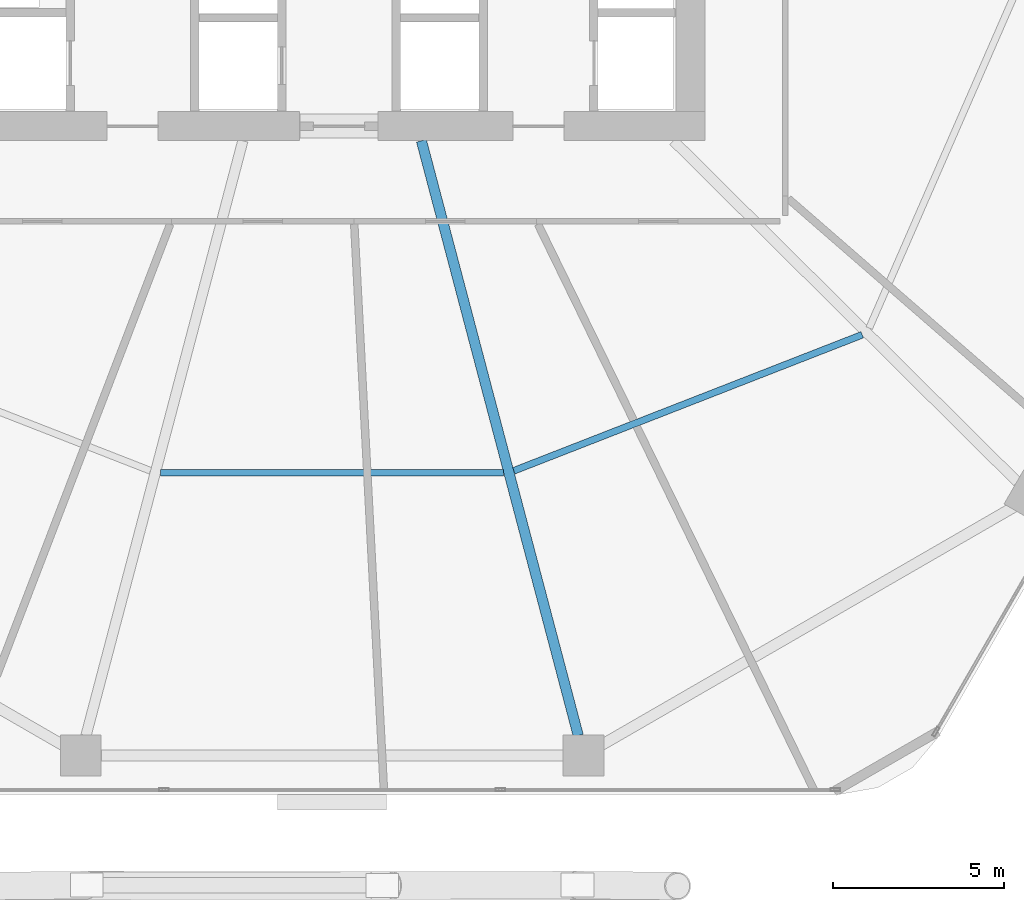
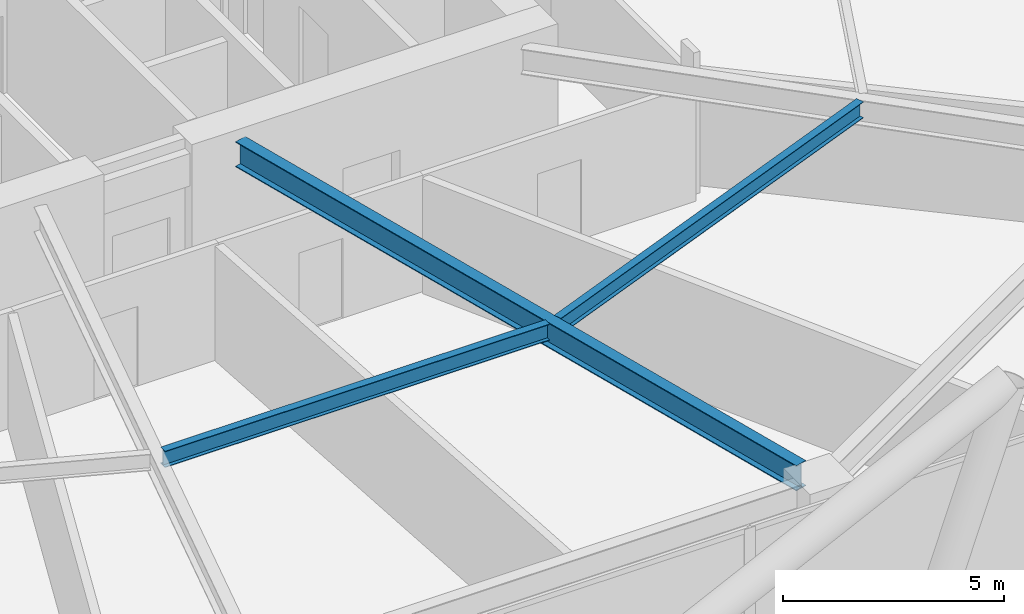
# One storey, part 8 of 30: 3 beams.
"""IFC4 building model written with IfcOpenShell, lengths in metres."""

from ifc_helpers import new_model, si_unit, direction, frame, origin, origin_2d, place, context, subcontext, project, spatial, i_section, extrude, material, material_profile, profile_set, type_object, element, save


model = new_model("IFC4")

# Units and contexts
model_context = context("Model", 3, precision=1e-05, world=origin(), true_north=direction((0.0, 1.0)))
body_context = subcontext(model_context, "Body", "Model", "MODEL_VIEW")
ifc_project = project(units=[si_unit("LENGTHUNIT", "METRE"), si_unit("AREAUNIT", "SQUARE_METRE"), si_unit("VOLUMEUNIT", "CUBIC_METRE"), si_unit("PLANEANGLEUNIT", "RADIAN"), si_unit("MASSUNIT", "GRAM", prefix="KILO")], contexts=[model_context])

# Site, building, storey
site_placement = place(None, origin())
site = spatial("IfcSite", under=ifc_project, at=site_placement, CompositionType="ELEMENT")
building_placement = place(site_placement, origin())
building = spatial("IfcBuilding", under=site, at=building_placement, Name="Zuhravey Tower", CompositionType="ELEMENT")
storey_placement = place(building_placement, frame((0.0, 0.0, 16.199951171875)))
storey = spatial("IfcBuildingStorey", under=building, at=storey_placement, Name="L04", CompositionType="ELEMENT", Elevation=16.199951171875)

# Beams
ifc_material = material(Name="Steel SM355", Category="steel")
ifc_material_profile_1 = material_profile(ifc_material, i_section(OverallWidth=0.300048828125, OverallDepth=0.699951171875, WebThickness=0.012939453125, FlangeThickness=0.02392578125, at=origin_2d()), Name="H-700x300x13x24")
ifc_profile_set_1 = profile_set([ifc_material_profile_1], Name="Steel SM355")
beam_type_1 = type_object("IfcBeamType", Name="Radial Primary Girder H700x300", PredefinedType="BEAM", material=ifc_profile_set_1)
beam_1_placement = place(storey_placement, frame((38.617919921875, 22.072021484375, 3.570068359375), z_axis=(0.254989720435, -0.966943763862, 0.0), x_axis=(0.966943763862, 0.254989720435, 0.0)))
element("IfcBeam", 1, at=beam_1_placement, inside=storey, type_object=beam_type_1, Name="L04 RG1 BM-L04-RAD-10", PredefinedType="BEAM", context=body_context, shape_type="SweptSolid", body=[
    extrude(i_section(OverallWidth=0.300048828125, OverallDepth=0.699951171875, WebThickness=0.012939453125, FlangeThickness=0.02392578125, at=origin_2d()), origin(), (0.0, 0.0, 1.0), 18.03369140625),
])
ifc_material_profile_2 = material_profile(ifc_material, i_section(OverallWidth=0.199951171875, OverallDepth=0.449951171875, WebThickness=0.009033203125, FlangeThickness=0.013916015625, at=origin_2d()), Name="H-450x200x9x14")
ifc_profile_set_2 = profile_set([ifc_material_profile_2], Name="Steel SM355")
beam_type_2 = type_object("IfcBeamType", Name="Secondary Floor Joist H450x200", PredefinedType="JOIST", material=ifc_profile_set_2)
beam_2_placement = place(storey_placement, frame((30.969970703125, 12.3408203125, 3.695068359375), z_axis=(1.0, 0.0, 0.0), x_axis=(0.0, 1.0, 0.0)))
element("IfcBeam", 2, at=beam_2_placement, inside=storey, type_object=beam_type_2, Name="L04 SJ1 BM-L04-SJ-09-1", PredefinedType="JOIST", context=body_context, shape_type="SweptSolid", body=[
    extrude(i_section(OverallWidth=0.199951171875, OverallDepth=0.449951171875, WebThickness=0.009033203125, FlangeThickness=0.013916015625, at=origin_2d()), origin(), (0.0, 0.0, 1.0), 10.06005859375),
])
beam_3_placement = place(storey_placement, frame((41.32763671875, 12.39697265625, 3.695068359375), z_axis=(0.931516535886, 0.363698973562, 0.0), x_axis=(-0.363698973562, 0.931516535886, 0.0)))
element("IfcBeam", 3, at=beam_3_placement, inside=storey, type_object=beam_type_2, Name="L04 SJ1 BM-L04-SJ-10-1", PredefinedType="JOIST", context=body_context, shape_type="SweptSolid", body=[
    extrude(i_section(OverallWidth=0.199951171875, OverallDepth=0.449951171875, WebThickness=0.009033203125, FlangeThickness=0.013916015625, at=origin_2d()), origin(), (0.0, 0.0, 1.0), 10.963134765625),
])

save(model, "model.ifc")
